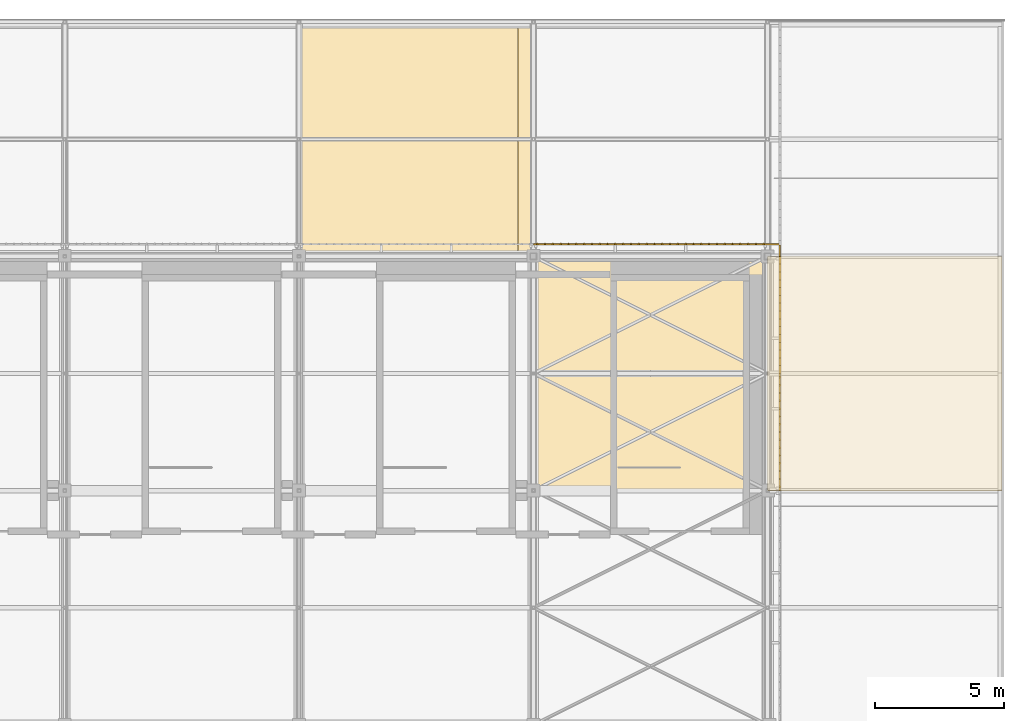
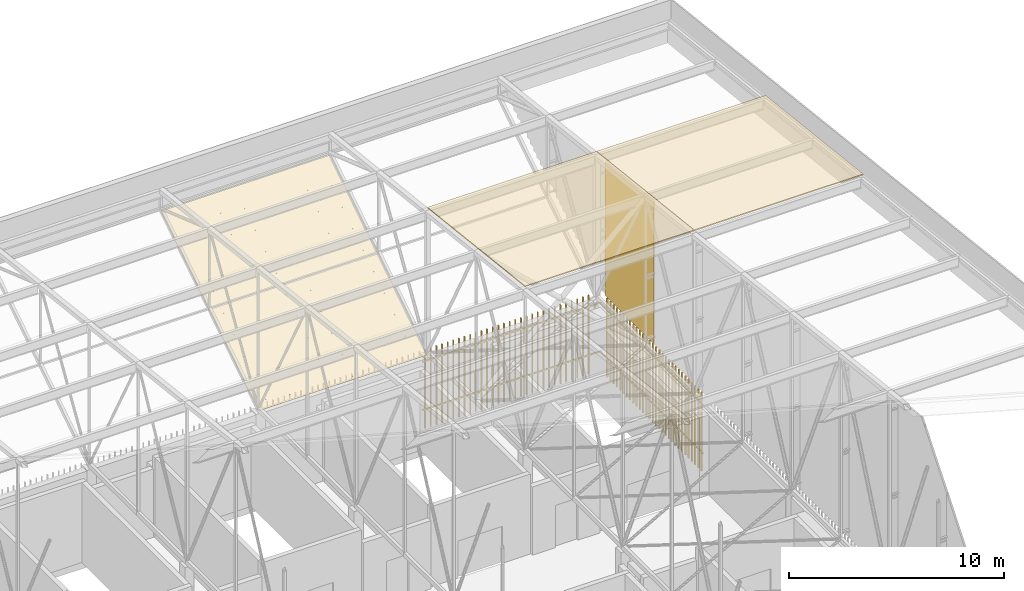
# One storey, part 498 of 500: 3 coverings, 3 shading devices.
"""IFC4 building model written with IfcOpenShell, lengths in metres."""

from ifc_helpers import new_model, si_unit, direction, frame, origin, origin_2d, place, context, subcontext, project, spatial, polyline, rectangle, outline, extrude, material, layer, layer_set, type_object, element, save


model = new_model("IFC4")

# Units and contexts
model_context = context("Model", 3, precision=1e-05, world=origin(), true_north=direction((0.0, 1.0)))
body_context = subcontext(model_context, "Body", "Model", "MODEL_VIEW")
ifc_project = project(units=[si_unit("LENGTHUNIT", "METRE"), si_unit("AREAUNIT", "SQUARE_METRE"), si_unit("VOLUMEUNIT", "CUBIC_METRE"), si_unit("PLANEANGLEUNIT", "RADIAN"), si_unit("MASSUNIT", "GRAM", prefix="KILO")], contexts=[model_context])

# Site, building, storey
site_placement = place(None, origin())
site = spatial("IfcSite", under=ifc_project, at=site_placement, CompositionType="ELEMENT")
building_placement = place(site_placement, origin())
building = spatial("IfcBuilding", under=site, at=building_placement, Name="Shirokan Park Arena", CompositionType="ELEMENT")
storey_placement = place(building_placement, frame((0.0, 0.0, 29.1201171875)))
storey = spatial("IfcBuildingStorey", under=building, at=storey_placement, Name="L06", CompositionType="ELEMENT", Elevation=29.1201171875)

# Coverings
ifc_material_1 = material(Name="Bituminous roofing membrane")
ifc_layer_1 = layer(ifc_material_1, 0.010009765625, Name="Bituminous roofing membrane")
ifc_material_2 = material(Name="Mineral wool insulation")
ifc_layer_2 = layer(ifc_material_2, 0.050048828125, Name="Mineral wool insulation")
ifc_layer_set_1 = layer_set([ifc_layer_1, ifc_layer_2], Name="Bituminous roofing membrane + Mineral wool insulation")
covering_type_1 = type_object("IfcCoveringType", Name="Roofing membrane 60", PredefinedType="ROOFING", material=ifc_layer_set_1)
covering_1_placement = place(storey_placement, frame((136.5, 100.10009765625, 13.970703125), z_axis=(0.0, 0.113552605302, 0.993531985308), x_axis=(1.0, 0.0, 0.0)))
element("IfcCovering", 1, at=covering_1_placement, inside=storey, type_object=covering_type_1, Name="Roofing", PredefinedType="ROOFING", context=body_context, shape_type="SweptSolid", body=[
    extrude(outline(polyline([(0.0, 0.0), (9.10009765625, 0.0), (9.10009765625, 9.159094674549367), (0.0, 9.159094674549367), (0.0, 0.0)])), origin(), (0.0, 0.0, -1.0), 0.06005859375),
])
covering_2_placement = place(storey_placement, frame((145.60009765625, 100.10009765625, 13.970703125), z_axis=(0.0, 0.113552605302, 0.993531985308), x_axis=(1.0, 0.0, 0.0)))
element("IfcCovering", 2, at=covering_2_placement, inside=storey, type_object=covering_type_1, Name="Roofing", PredefinedType="ROOFING", context=body_context, shape_type="SweptSolid", body=[
    extrude(outline(polyline([(0.0, 0.0), (9.099853515625, 0.0), (9.099853515625, 9.159094674549365), (0.0, 9.159094674549365), (0.0, 0.0)])), origin(), (0.0, 0.0, -1.0), 0.06005859375),
])
ifc_material_3 = material(Name="Timber soffit boards (cedar)", Category="wood")
ifc_layer_3 = layer(ifc_material_3, 0.030029296875)
ifc_layer_set_2 = layer_set([ifc_layer_3], Name="Timber soffit boards (cedar) 30 mm")
covering_type_2 = type_object("IfcCoveringType", Name="Timber boarded soffit panel", PredefinedType="CLADDING", material=ifc_layer_set_2)
covering_3_placement = place(storey_placement, origin())
element("IfcCovering", 3, at=covering_3_placement, inside=storey, type_object=covering_type_2, Name="Eave soffit north bay 15", PredefinedType="CLADDING", context=body_context, shape_type="SweptSolid", body=[
    extrude(outline(polyline([(0.0, 0.0), (0.1426933218479331, 0.0), (0.1426933218479331, -9.099999999999996), (0.0, -9.099999999999996), (0.0, 0.0)])), frame((136.5, 109.320068359375, 4.60302734375), z_axis=(0.0, -0.541090493936, 0.840964373426), x_axis=(0.0, -0.840964373426, -0.541090493936)), (0.0, 0.0, -1.0), 0.030029296875),
    extrude(outline(polyline([(0.0, 0.0), (0.1426933218479331, 0.0), (0.1426933218479331, -9.099999999999996), (0.0, -9.099999999999996), (0.0, 0.0)])), frame((127.39990234375, 118.179931640625, 10.3037109375), z_axis=(0.0, -0.541090493936, 0.840964373426), x_axis=(0.0, 0.840964373426, 0.541090493936)), (0.0, 0.0, -1.0), 0.030029296875),
    extrude(outline(polyline([(0.0, 0.0), (0.12000000000000455, 0.0), (0.12000000000000455, -10.535473996759716), (0.0, -10.535473996759716), (0.0, 0.0)])), frame((136.5, 109.320068359375, 4.60302734375), z_axis=(0.0, -0.541084340558, 0.84096833258), x_axis=(-1.0, 0.0, 0.0)), (0.0, 0.0, -1.0), 0.030029296875),
    extrude(outline(polyline([(0.0, 0.0), (0.11999999999999034, 0.0), (0.11999999999999034, -10.535473996759718), (0.0, -10.535473996759718), (0.0, 0.0)])), frame((127.39990234375, 118.179931640625, 10.3037109375), z_axis=(0.0, -0.541084340558, 0.84096833258), x_axis=(1.0, 0.0, 0.0)), (0.0, 0.0, -1.0), 0.030029296875),
    extrude(outline(polyline([(0.0, 0.0), (10.535473996759718, 0.0), (10.535473996759718, -0.183329999999998), (0.0, -0.183329999999998), (0.0, 0.0)])), frame((127.703369140625, 118.179931640625, 10.3037109375), z_axis=(0.0, -0.541084340558, 0.84096833258), x_axis=(0.0, -0.84096833258, -0.541084340558)), (0.0, 0.0, -1.0), 0.030029296875),
    extrude(outline(polyline([(0.0, 0.0), (10.53547399675972, 0.0), (10.53547399675972, -0.3033400000000199), (0.0, -0.3033400000000199), (0.0, 0.0)])), frame((128.006591796875, 118.179931640625, 10.3037109375), z_axis=(0.0, -0.541084340558, 0.84096833258), x_axis=(0.0, -0.84096833258, -0.541084340558)), (0.0, 0.0, -1.0), 0.030029296875),
    extrude(outline(polyline([(0.0, 0.0), (10.535473996759718, 0.0), (10.535473996759718, -0.30332999999998833), (0.0, -0.30332999999998833), (0.0, 0.0)])), frame((128.31005859375, 118.179931640625, 10.3037109375), z_axis=(0.0, -0.541084340558, 0.84096833258), x_axis=(0.0, -0.84096833258, -0.541084340558)), (0.0, 0.0, -1.0), 0.030029296875),
    extrude(outline(polyline([(0.0, 0.0), (10.535473996759718, 0.0), (10.535473996759718, -0.30332999999998833), (0.0, -0.30332999999998833), (0.0, 0.0)])), frame((128.61328125, 118.179931640625, 10.3037109375), z_axis=(0.0, -0.541084340558, 0.84096833258), x_axis=(0.0, -0.84096833258, -0.541084340558)), (0.0, 0.0, -1.0), 0.030029296875),
    extrude(outline(polyline([(0.0, 0.0), (10.53547399675972, 0.0), (10.53547399675972, -0.3033400000000199), (0.0, -0.3033400000000199), (0.0, 0.0)])), frame((128.916748046875, 118.179931640625, 10.3037109375), z_axis=(0.0, -0.541084340558, 0.84096833258), x_axis=(0.0, -0.84096833258, -0.541084340558)), (0.0, 0.0, -1.0), 0.030029296875),
    extrude(outline(polyline([(0.0, 0.0), (10.535473996759718, 0.0), (10.535473996759718, -0.30332999999998833), (0.0, -0.30332999999998833), (0.0, 0.0)])), frame((129.219970703125, 118.179931640625, 10.3037109375), z_axis=(0.0, -0.541084340558, 0.84096833258), x_axis=(0.0, -0.84096833258, -0.541084340558)), (0.0, 0.0, -1.0), 0.030029296875),
    extrude(outline(polyline([(0.0, 0.0), (10.535473996759718, 0.0), (10.535473996759718, -0.30332999999998833), (0.0, -0.30332999999998833), (0.0, 0.0)])), frame((129.5234375, 118.179931640625, 10.3037109375), z_axis=(0.0, -0.541084340558, 0.84096833258), x_axis=(0.0, -0.84096833258, -0.541084340558)), (0.0, 0.0, -1.0), 0.030029296875),
    extrude(outline(polyline([(0.0, 0.0), (10.535473996759718, 0.0), (10.535473996759718, -0.3033400000000199), (0.0, -0.3033400000000199), (0.0, 0.0)])), frame((129.82666015625, 118.179931640625, 10.3037109375), z_axis=(0.0, -0.541084340558, 0.84096833258), x_axis=(0.0, -0.84096833258, -0.541084340558)), (0.0, 0.0, -1.0), 0.030029296875),
    extrude(outline(polyline([(0.0, 0.0), (10.535473996759718, 0.0), (10.535473996759718, -0.30332999999998833), (0.0, -0.30332999999998833), (0.0, 0.0)])), frame((130.1298828125, 118.179931640625, 10.3037109375), z_axis=(0.0, -0.541084340558, 0.84096833258), x_axis=(0.0, -0.84096833258, -0.541084340558)), (0.0, 0.0, -1.0), 0.030029296875),
    extrude(outline(polyline([(0.0, 0.0), (10.53547399675972, 0.0), (10.53547399675972, -0.30333000000001675), (0.0, -0.30333000000001675), (0.0, 0.0)])), frame((130.433349609375, 118.179931640625, 10.3037109375), z_axis=(0.0, -0.541084340558, 0.84096833258), x_axis=(0.0, -0.84096833258, -0.541084340558)), (0.0, 0.0, -1.0), 0.030029296875),
    extrude(outline(polyline([(0.0, 0.0), (10.53547399675972, 0.0), (10.53547399675972, -0.3033399999999915), (0.0, -0.3033399999999915), (0.0, 0.0)])), frame((130.736572265625, 118.179931640625, 10.3037109375), z_axis=(0.0, -0.541084340558, 0.84096833258), x_axis=(0.0, -0.84096833258, -0.541084340558)), (0.0, 0.0, -1.0), 0.030029296875),
    extrude(outline(polyline([(0.0, 0.0), (10.535473996759718, 0.0), (10.535473996759718, -0.30332999999998833), (0.0, -0.30332999999998833), (0.0, 0.0)])), frame((131.0400390625, 118.179931640625, 10.3037109375), z_axis=(0.0, -0.541084340558, 0.84096833258), x_axis=(0.0, -0.84096833258, -0.541084340558)), (0.0, 0.0, -1.0), 0.030029296875),
    extrude(outline(polyline([(0.0, 0.0), (10.53547399675972, 0.0), (10.53547399675972, -0.30333000000001675), (0.0, -0.30333000000001675), (0.0, 0.0)])), frame((131.34326171875, 118.179931640625, 10.3037109375), z_axis=(0.0, -0.541084340558, 0.84096833258), x_axis=(0.0, -0.84096833258, -0.541084340558)), (0.0, 0.0, -1.0), 0.030029296875),
    extrude(outline(polyline([(0.0, 0.0), (10.53547399675972, 0.0), (10.53547399675972, -0.30333999999999156), (0.0, -0.30333999999999156), (0.0, 0.0)])), frame((131.646728515625, 118.179931640625, 10.3037109375), z_axis=(0.0, -0.541084340558, 0.84096833258), x_axis=(0.0, -0.84096833258, -0.541084340558)), (0.0, 0.0, -1.0), 0.030029296875),
    extrude(outline(polyline([(0.0, 0.0), (10.535473996759718, 0.0), (10.535473996759718, -0.30332999999998833), (0.0, -0.30332999999998833), (0.0, 0.0)])), frame((131.949951171875, 118.179931640625, 10.3037109375), z_axis=(0.0, -0.541084340558, 0.84096833258), x_axis=(0.0, -0.84096833258, -0.541084340558)), (0.0, 0.0, -1.0), 0.030029296875),
    extrude(outline(polyline([(0.0, 0.0), (10.53547399675972, 0.0), (10.53547399675972, -0.30333000000001675), (0.0, -0.30333000000001675), (0.0, 0.0)])), frame((132.25341796875, 118.179931640625, 10.3037109375), z_axis=(0.0, -0.541084340558, 0.84096833258), x_axis=(0.0, -0.84096833258, -0.541084340558)), (0.0, 0.0, -1.0), 0.030029296875),
    extrude(outline(polyline([(0.0, 0.0), (10.53547399675972, 0.0), (10.53547399675972, -0.30333999999999156), (0.0, -0.30333999999999156), (0.0, 0.0)])), frame((132.556640625, 118.179931640625, 10.3037109375), z_axis=(0.0, -0.541084340558, 0.84096833258), x_axis=(0.0, -0.84096833258, -0.541084340558)), (0.0, 0.0, -1.0), 0.030029296875),
    extrude(outline(polyline([(0.0, 0.0), (10.535473996759716, 0.0), (10.535473996759716, -0.30333000000001675), (0.0, -0.30333000000001675), (0.0, 0.0)])), frame((132.860107421875, 118.179931640625, 10.3037109375), z_axis=(0.0, -0.541084340558, 0.84096833258), x_axis=(0.0, -0.84096833258, -0.541084340558)), (0.0, 0.0, -1.0), 0.030029296875),
    extrude(outline(polyline([(0.0, 0.0), (10.535473996759718, 0.0), (10.535473996759718, -0.30332999999998833), (0.0, -0.30332999999998833), (0.0, 0.0)])), frame((133.163330078125, 118.179931640625, 10.3037109375), z_axis=(0.0, -0.541084340558, 0.84096833258), x_axis=(0.0, -0.84096833258, -0.541084340558)), (0.0, 0.0, -1.0), 0.030029296875),
    extrude(outline(polyline([(0.0, 0.0), (10.53547399675972, 0.0), (10.53547399675972, -0.3033399999999915), (0.0, -0.3033399999999915), (0.0, 0.0)])), frame((133.466552734375, 118.179931640625, 10.3037109375), z_axis=(0.0, -0.541084340558, 0.84096833258), x_axis=(0.0, -0.84096833258, -0.541084340558)), (0.0, 0.0, -1.0), 0.030029296875),
    extrude(outline(polyline([(0.0, 0.0), (10.53547399675972, 0.0), (10.53547399675972, -0.30333000000001675), (0.0, -0.30333000000001675), (0.0, 0.0)])), frame((133.77001953125, 118.179931640625, 10.3037109375), z_axis=(0.0, -0.541084340558, 0.84096833258), x_axis=(0.0, -0.84096833258, -0.541084340558)), (0.0, 0.0, -1.0), 0.030029296875),
    extrude(outline(polyline([(0.0, 0.0), (10.535473996759718, 0.0), (10.535473996759718, -0.30332999999998833), (0.0, -0.30332999999998833), (0.0, 0.0)])), frame((134.0732421875, 118.179931640625, 10.3037109375), z_axis=(0.0, -0.541084340558, 0.84096833258), x_axis=(0.0, -0.84096833258, -0.541084340558)), (0.0, 0.0, -1.0), 0.030029296875),
    extrude(outline(polyline([(0.0, 0.0), (10.53547399675972, 0.0), (10.53547399675972, -0.3033399999999915), (0.0, -0.3033399999999915), (0.0, 0.0)])), frame((134.376708984375, 118.179931640625, 10.3037109375), z_axis=(0.0, -0.541084340558, 0.84096833258), x_axis=(0.0, -0.84096833258, -0.541084340558)), (0.0, 0.0, -1.0), 0.030029296875),
    extrude(outline(polyline([(0.0, 0.0), (10.53547399675972, 0.0), (10.53547399675972, -0.30333000000001675), (0.0, -0.30333000000001675), (0.0, 0.0)])), frame((134.679931640625, 118.179931640625, 10.3037109375), z_axis=(0.0, -0.541084340558, 0.84096833258), x_axis=(0.0, -0.84096833258, -0.541084340558)), (0.0, 0.0, -1.0), 0.030029296875),
    extrude(outline(polyline([(0.0, 0.0), (10.535473996759718, 0.0), (10.535473996759718, -0.30332999999998833), (0.0, -0.30332999999998833), (0.0, 0.0)])), frame((134.9833984375, 118.179931640625, 10.3037109375), z_axis=(0.0, -0.541084340558, 0.84096833258), x_axis=(0.0, -0.84096833258, -0.541084340558)), (0.0, 0.0, -1.0), 0.030029296875),
    extrude(outline(polyline([(0.0, 0.0), (10.53547399675972, 0.0), (10.53547399675972, -0.3033399999999915), (0.0, -0.3033399999999915), (0.0, 0.0)])), frame((135.28662109375, 118.179931640625, 10.3037109375), z_axis=(0.0, -0.541084340558, 0.84096833258), x_axis=(0.0, -0.84096833258, -0.541084340558)), (0.0, 0.0, -1.0), 0.030029296875),
    extrude(outline(polyline([(0.0, 0.0), (10.53547399675972, 0.0), (10.53547399675972, -0.30333000000001675), (0.0, -0.30333000000001675), (0.0, 0.0)])), frame((135.590087890625, 118.179931640625, 10.3037109375), z_axis=(0.0, -0.541084340558, 0.84096833258), x_axis=(0.0, -0.84096833258, -0.541084340558)), (0.0, 0.0, -1.0), 0.030029296875),
    extrude(outline(polyline([(0.0, 0.0), (10.535473996759718, 0.0), (10.535473996759718, -0.30332999999998833), (0.0, -0.30332999999998833), (0.0, 0.0)])), frame((135.893310546875, 118.179931640625, 10.3037109375), z_axis=(0.0, -0.541084340558, 0.84096833258), x_axis=(0.0, -0.84096833258, -0.541084340558)), (0.0, 0.0, -1.0), 0.030029296875),
    extrude(outline(polyline([(0.0, 0.0), (10.535473996759718, 0.0), (10.535473996759718, -0.3033400000000199), (0.0, -0.3033400000000199), (0.0, 0.0)])), frame((136.19677734375, 118.179931640625, 10.3037109375), z_axis=(0.0, -0.541084340558, 0.84096833258), x_axis=(0.0, -0.84096833258, -0.541084340558)), (0.0, 0.0, -1.0), 0.030029296875),
    extrude(outline(polyline([(0.0, 0.0), (10.535473996759718, 0.0), (10.535473996759718, -0.18332999999998378), (0.0, -0.18332999999998378), (0.0, 0.0)])), frame((136.3798828125, 118.179931640625, 10.3037109375), z_axis=(0.0, -0.541084340558, 0.84096833258), x_axis=(0.0, -0.84096833258, -0.541084340558)), (0.0, 0.0, -1.0), 0.030029296875),
])

# Shading devices
ifc_material_4 = material(Name="Timber louvre veil (cedar)", Category="wood")
shading_device_type_1 = type_object("IfcShadingDeviceType", Name="Timber louvre veil panel", PredefinedType="JALOUSIE", material=ifc_material_4)
shading_device_1_placement = place(storey_placement, origin())
element("IfcShadingDevice", 4, at=shading_device_1_placement, inside=storey, type_object=shading_device_type_1, Name="Timber louvre veil east bay 12 L06", PredefinedType="JALOUSIE", context=body_context, shape_type="SweptSolid", body=[
    extrude(rectangle(XDim=0.050048828125, YDim=0.080078125, at=origin_2d()), frame((146.0849609375, 100.251708984375, 0.0), z_axis=(0.0, 0.0, 1.0), x_axis=(0.0, 1.0, 0.0)), (0.0, 0.0, 1.0), 4.5),
    extrude(rectangle(XDim=0.050048828125, YDim=0.080078125, at=origin_2d()), frame((146.0849609375, 100.554931640625, 0.0), z_axis=(0.0, 0.0, 1.0), x_axis=(0.0, 1.0, 0.0)), (0.0, 0.0, 1.0), 4.5),
    extrude(rectangle(XDim=0.050048828125, YDim=0.080078125, at=origin_2d()), frame((146.0849609375, 100.8583984375, 0.0), z_axis=(0.0, 0.0, 1.0), x_axis=(0.0, 1.0, 0.0)), (0.0, 0.0, 1.0), 4.5),
    extrude(rectangle(XDim=0.050048828125, YDim=0.080078125, at=origin_2d()), frame((146.0849609375, 101.16162109375, 0.0), z_axis=(0.0, 0.0, 1.0), x_axis=(0.0, 1.0, 0.0)), (0.0, 0.0, 1.0), 4.5),
    extrude(rectangle(XDim=0.050048828125, YDim=0.080078125, at=origin_2d()), frame((146.0849609375, 101.465087890625, 0.0), z_axis=(0.0, 0.0, 1.0), x_axis=(0.0, 1.0, 0.0)), (0.0, 0.0, 1.0), 4.5),
    extrude(rectangle(XDim=0.050048828125, YDim=0.080078125, at=origin_2d()), frame((146.0849609375, 101.768310546875, 0.0), z_axis=(0.0, 0.0, 1.0), x_axis=(0.0, 1.0, 0.0)), (0.0, 0.0, 1.0), 4.5),
    extrude(rectangle(XDim=0.050048828125, YDim=0.080078125, at=origin_2d()), frame((146.0849609375, 102.07177734375, 0.0), z_axis=(0.0, 0.0, 1.0), x_axis=(0.0, 1.0, 0.0)), (0.0, 0.0, 1.0), 4.5),
    extrude(rectangle(XDim=0.050048828125, YDim=0.080078125, at=origin_2d()), frame((146.0849609375, 102.375, 0.0), z_axis=(0.0, 0.0, 1.0), x_axis=(0.0, 1.0, 0.0)), (0.0, 0.0, 1.0), 4.5),
    extrude(rectangle(XDim=0.050048828125, YDim=0.080078125, at=origin_2d()), frame((146.0849609375, 102.67822265625, 0.0), z_axis=(0.0, 0.0, 1.0), x_axis=(0.0, 1.0, 0.0)), (0.0, 0.0, 1.0), 4.5),
    extrude(rectangle(XDim=0.050048828125, YDim=0.080078125, at=origin_2d()), frame((146.0849609375, 102.981689453125, 0.0), z_axis=(0.0, 0.0, 1.0), x_axis=(0.0, 1.0, 0.0)), (0.0, 0.0, 1.0), 4.5),
    extrude(rectangle(XDim=0.050048828125, YDim=0.080078125, at=origin_2d()), frame((146.0849609375, 103.284912109375, 0.0), z_axis=(0.0, 0.0, 1.0), x_axis=(0.0, 1.0, 0.0)), (0.0, 0.0, 1.0), 4.5),
    extrude(rectangle(XDim=0.050048828125, YDim=0.080078125, at=origin_2d()), frame((146.0849609375, 103.58837890625, 0.0), z_axis=(0.0, 0.0, 1.0), x_axis=(0.0, 1.0, 0.0)), (0.0, 0.0, 1.0), 4.5),
    extrude(rectangle(XDim=0.050048828125, YDim=0.080078125, at=origin_2d()), frame((146.0849609375, 103.8916015625, 0.0), z_axis=(0.0, 0.0, 1.0), x_axis=(0.0, 1.0, 0.0)), (0.0, 0.0, 1.0), 4.5),
    extrude(rectangle(XDim=0.050048828125, YDim=0.080078125, at=origin_2d()), frame((146.0849609375, 104.195068359375, 0.0), z_axis=(0.0, 0.0, 1.0), x_axis=(0.0, 1.0, 0.0)), (0.0, 0.0, 1.0), 4.5),
    extrude(rectangle(XDim=0.050048828125, YDim=0.080078125, at=origin_2d()), frame((146.0849609375, 104.498291015625, 0.0), z_axis=(0.0, 0.0, 1.0), x_axis=(0.0, 1.0, 0.0)), (0.0, 0.0, 1.0), 4.5),
    extrude(rectangle(XDim=0.050048828125, YDim=0.080078125, at=origin_2d()), frame((146.0849609375, 104.8017578125, 0.0), z_axis=(0.0, 0.0, 1.0), x_axis=(0.0, 1.0, 0.0)), (0.0, 0.0, 1.0), 4.5),
    extrude(rectangle(XDim=0.050048828125, YDim=0.080078125, at=origin_2d()), frame((146.0849609375, 105.10498046875, 0.0), z_axis=(0.0, 0.0, 1.0), x_axis=(0.0, 1.0, 0.0)), (0.0, 0.0, 1.0), 4.5),
    extrude(rectangle(XDim=0.050048828125, YDim=0.080078125, at=origin_2d()), frame((146.0849609375, 105.408447265625, 0.0), z_axis=(0.0, 0.0, 1.0), x_axis=(0.0, 1.0, 0.0)), (0.0, 0.0, 1.0), 4.5),
    extrude(rectangle(XDim=0.050048828125, YDim=0.080078125, at=origin_2d()), frame((146.0849609375, 105.711669921875, 0.0), z_axis=(0.0, 0.0, 1.0), x_axis=(0.0, 1.0, 0.0)), (0.0, 0.0, 1.0), 4.5),
    extrude(rectangle(XDim=0.050048828125, YDim=0.080078125, at=origin_2d()), frame((146.0849609375, 106.014892578125, 0.0), z_axis=(0.0, 0.0, 1.0), x_axis=(0.0, 1.0, 0.0)), (0.0, 0.0, 1.0), 4.5),
    extrude(rectangle(XDim=0.050048828125, YDim=0.080078125, at=origin_2d()), frame((146.0849609375, 106.318359375, 0.0), z_axis=(0.0, 0.0, 1.0), x_axis=(0.0, 1.0, 0.0)), (0.0, 0.0, 1.0), 4.5),
    extrude(rectangle(XDim=0.050048828125, YDim=0.080078125, at=origin_2d()), frame((146.0849609375, 106.62158203125, 0.0), z_axis=(0.0, 0.0, 1.0), x_axis=(0.0, 1.0, 0.0)), (0.0, 0.0, 1.0), 4.5),
    extrude(rectangle(XDim=0.050048828125, YDim=0.080078125, at=origin_2d()), frame((146.0849609375, 106.925048828125, 0.0), z_axis=(0.0, 0.0, 1.0), x_axis=(0.0, 1.0, 0.0)), (0.0, 0.0, 1.0), 4.5),
    extrude(rectangle(XDim=0.050048828125, YDim=0.080078125, at=origin_2d()), frame((146.0849609375, 107.228271484375, 0.0), z_axis=(0.0, 0.0, 1.0), x_axis=(0.0, 1.0, 0.0)), (0.0, 0.0, 1.0), 4.5),
    extrude(rectangle(XDim=0.050048828125, YDim=0.080078125, at=origin_2d()), frame((146.0849609375, 107.53173828125, 0.0), z_axis=(0.0, 0.0, 1.0), x_axis=(0.0, 1.0, 0.0)), (0.0, 0.0, 1.0), 4.5),
    extrude(rectangle(XDim=0.050048828125, YDim=0.080078125, at=origin_2d()), frame((146.0849609375, 107.8349609375, 0.0), z_axis=(0.0, 0.0, 1.0), x_axis=(0.0, 1.0, 0.0)), (0.0, 0.0, 1.0), 4.5),
    extrude(rectangle(XDim=0.050048828125, YDim=0.080078125, at=origin_2d()), frame((146.0849609375, 108.138427734375, 0.0), z_axis=(0.0, 0.0, 1.0), x_axis=(0.0, 1.0, 0.0)), (0.0, 0.0, 1.0), 4.5),
    extrude(rectangle(XDim=0.050048828125, YDim=0.080078125, at=origin_2d()), frame((146.0849609375, 108.441650390625, 0.0), z_axis=(0.0, 0.0, 1.0), x_axis=(0.0, 1.0, 0.0)), (0.0, 0.0, 1.0), 4.5),
    extrude(rectangle(XDim=0.050048828125, YDim=0.080078125, at=origin_2d()), frame((146.0849609375, 108.7451171875, 0.0), z_axis=(0.0, 0.0, 1.0), x_axis=(0.0, 1.0, 0.0)), (0.0, 0.0, 1.0), 4.5),
    extrude(rectangle(XDim=0.050048828125, YDim=0.080078125, at=origin_2d()), frame((146.0849609375, 109.04833984375, 0.0), z_axis=(0.0, 0.0, 1.0), x_axis=(0.0, 1.0, 0.0)), (0.0, 0.0, 1.0), 4.5),
    extrude(rectangle(XDim=9.544921875, YDim=0.050048828125, at=origin_2d()), frame((146.070068359375, 104.87255859375, 1.059814453125), z_axis=(0.0, 0.0, 1.0), x_axis=(0.0, 1.0, 0.0)), (0.0, 0.0, 1.0), 0.080078125),
    extrude(rectangle(XDim=9.544921875, YDim=0.050048828125, at=origin_2d()), frame((146.070068359375, 104.87255859375, 3.809814453125), z_axis=(0.0, 0.0, 1.0), x_axis=(0.0, 1.0, 0.0)), (0.0, 0.0, 1.0), 0.080078125),
])
shading_device_2_placement = place(storey_placement, origin())
element("IfcShadingDevice", 5, at=shading_device_2_placement, inside=storey, type_object=shading_device_type_1, Name="Timber louvre veil north bay 1 L06", PredefinedType="JALOUSIE", context=body_context, shape_type="SweptSolid", body=[
    extrude(rectangle(XDim=0.050048828125, YDim=0.080078125, at=origin_2d()), frame((145.4482421875, 109.68505859375, 0.0), z_axis=(0.0, 0.0, 1.0), x_axis=(-1.0, 0.0, 0.0)), (0.0, 0.0, 1.0), 4.5),
    extrude(rectangle(XDim=0.050048828125, YDim=0.080078125, at=origin_2d()), frame((145.14501953125, 109.68505859375, 0.0), z_axis=(0.0, 0.0, 1.0), x_axis=(-1.0, 0.0, 0.0)), (0.0, 0.0, 1.0), 4.5),
    extrude(rectangle(XDim=0.050048828125, YDim=0.080078125, at=origin_2d()), frame((144.841552734375, 109.68505859375, 0.0), z_axis=(0.0, 0.0, 1.0), x_axis=(-1.0, 0.0, 0.0)), (0.0, 0.0, 1.0), 4.5),
    extrude(rectangle(XDim=0.050048828125, YDim=0.080078125, at=origin_2d()), frame((144.538330078125, 109.68505859375, 0.0), z_axis=(0.0, 0.0, 1.0), x_axis=(-1.0, 0.0, 0.0)), (0.0, 0.0, 1.0), 4.5),
    extrude(rectangle(XDim=0.050048828125, YDim=0.080078125, at=origin_2d()), frame((144.235107421875, 109.68505859375, 0.0), z_axis=(0.0, 0.0, 1.0), x_axis=(-1.0, 0.0, 0.0)), (0.0, 0.0, 1.0), 4.5),
    extrude(rectangle(XDim=0.050048828125, YDim=0.080078125, at=origin_2d()), frame((143.931640625, 109.68505859375, 0.0), z_axis=(0.0, 0.0, 1.0), x_axis=(-1.0, 0.0, 0.0)), (0.0, 0.0, 1.0), 4.5),
    extrude(rectangle(XDim=0.050048828125, YDim=0.080078125, at=origin_2d()), frame((143.62841796875, 109.68505859375, 0.0), z_axis=(0.0, 0.0, 1.0), x_axis=(-1.0, 0.0, 0.0)), (0.0, 0.0, 1.0), 4.5),
    extrude(rectangle(XDim=0.050048828125, YDim=0.080078125, at=origin_2d()), frame((143.324951171875, 109.68505859375, 0.0), z_axis=(0.0, 0.0, 1.0), x_axis=(-1.0, 0.0, 0.0)), (0.0, 0.0, 1.0), 4.5),
    extrude(rectangle(XDim=0.050048828125, YDim=0.080078125, at=origin_2d()), frame((143.021728515625, 109.68505859375, 0.0), z_axis=(0.0, 0.0, 1.0), x_axis=(-1.0, 0.0, 0.0)), (0.0, 0.0, 1.0), 4.5),
    extrude(rectangle(XDim=0.050048828125, YDim=0.080078125, at=origin_2d()), frame((142.71826171875, 109.68505859375, 0.0), z_axis=(0.0, 0.0, 1.0), x_axis=(-1.0, 0.0, 0.0)), (0.0, 0.0, 1.0), 4.5),
    extrude(rectangle(XDim=0.050048828125, YDim=0.080078125, at=origin_2d()), frame((142.4150390625, 109.68505859375, 0.0), z_axis=(0.0, 0.0, 1.0), x_axis=(-1.0, 0.0, 0.0)), (0.0, 0.0, 1.0), 4.5),
    extrude(rectangle(XDim=0.050048828125, YDim=0.080078125, at=origin_2d()), frame((142.111572265625, 109.68505859375, 0.0), z_axis=(0.0, 0.0, 1.0), x_axis=(-1.0, 0.0, 0.0)), (0.0, 0.0, 1.0), 4.5),
    extrude(rectangle(XDim=0.050048828125, YDim=0.080078125, at=origin_2d()), frame((141.808349609375, 109.68505859375, 0.0), z_axis=(0.0, 0.0, 1.0), x_axis=(-1.0, 0.0, 0.0)), (0.0, 0.0, 1.0), 4.5),
    extrude(rectangle(XDim=0.050048828125, YDim=0.080078125, at=origin_2d()), frame((141.5048828125, 109.68505859375, 0.0), z_axis=(0.0, 0.0, 1.0), x_axis=(-1.0, 0.0, 0.0)), (0.0, 0.0, 1.0), 4.5),
    extrude(rectangle(XDim=0.050048828125, YDim=0.080078125, at=origin_2d()), frame((141.20166015625, 109.68505859375, 0.0), z_axis=(0.0, 0.0, 1.0), x_axis=(-1.0, 0.0, 0.0)), (0.0, 0.0, 1.0), 4.5),
    extrude(rectangle(XDim=0.050048828125, YDim=0.080078125, at=origin_2d()), frame((140.8984375, 109.68505859375, 0.0), z_axis=(0.0, 0.0, 1.0), x_axis=(-1.0, 0.0, 0.0)), (0.0, 0.0, 1.0), 4.5),
    extrude(rectangle(XDim=0.050048828125, YDim=0.080078125, at=origin_2d()), frame((140.594970703125, 109.68505859375, 0.0), z_axis=(0.0, 0.0, 1.0), x_axis=(-1.0, 0.0, 0.0)), (0.0, 0.0, 1.0), 4.5),
    extrude(rectangle(XDim=0.050048828125, YDim=0.080078125, at=origin_2d()), frame((140.291748046875, 109.68505859375, 0.0), z_axis=(0.0, 0.0, 1.0), x_axis=(-1.0, 0.0, 0.0)), (0.0, 0.0, 1.0), 4.5),
    extrude(rectangle(XDim=0.050048828125, YDim=0.080078125, at=origin_2d()), frame((139.98828125, 109.68505859375, 0.0), z_axis=(0.0, 0.0, 1.0), x_axis=(-1.0, 0.0, 0.0)), (0.0, 0.0, 1.0), 4.5),
    extrude(rectangle(XDim=0.050048828125, YDim=0.080078125, at=origin_2d()), frame((139.68505859375, 109.68505859375, 0.0), z_axis=(0.0, 0.0, 1.0), x_axis=(-1.0, 0.0, 0.0)), (0.0, 0.0, 1.0), 4.5),
    extrude(rectangle(XDim=0.050048828125, YDim=0.080078125, at=origin_2d()), frame((139.381591796875, 109.68505859375, 0.0), z_axis=(0.0, 0.0, 1.0), x_axis=(-1.0, 0.0, 0.0)), (0.0, 0.0, 1.0), 4.5),
    extrude(rectangle(XDim=0.050048828125, YDim=0.080078125, at=origin_2d()), frame((139.078369140625, 109.68505859375, 0.0), z_axis=(0.0, 0.0, 1.0), x_axis=(-1.0, 0.0, 0.0)), (0.0, 0.0, 1.0), 4.5),
    extrude(rectangle(XDim=0.050048828125, YDim=0.080078125, at=origin_2d()), frame((138.77490234375, 109.68505859375, 0.0), z_axis=(0.0, 0.0, 1.0), x_axis=(-1.0, 0.0, 0.0)), (0.0, 0.0, 1.0), 4.5),
    extrude(rectangle(XDim=0.050048828125, YDim=0.080078125, at=origin_2d()), frame((138.4716796875, 109.68505859375, 0.0), z_axis=(0.0, 0.0, 1.0), x_axis=(-1.0, 0.0, 0.0)), (0.0, 0.0, 1.0), 4.5),
    extrude(rectangle(XDim=0.050048828125, YDim=0.080078125, at=origin_2d()), frame((138.168212890625, 109.68505859375, 0.0), z_axis=(0.0, 0.0, 1.0), x_axis=(-1.0, 0.0, 0.0)), (0.0, 0.0, 1.0), 4.5),
    extrude(rectangle(XDim=0.050048828125, YDim=0.080078125, at=origin_2d()), frame((137.864990234375, 109.68505859375, 0.0), z_axis=(0.0, 0.0, 1.0), x_axis=(-1.0, 0.0, 0.0)), (0.0, 0.0, 1.0), 4.5),
    extrude(rectangle(XDim=0.050048828125, YDim=0.080078125, at=origin_2d()), frame((137.561767578125, 109.68505859375, 0.0), z_axis=(0.0, 0.0, 1.0), x_axis=(-1.0, 0.0, 0.0)), (0.0, 0.0, 1.0), 4.5),
    extrude(rectangle(XDim=0.050048828125, YDim=0.080078125, at=origin_2d()), frame((137.25830078125, 109.68505859375, 0.0), z_axis=(0.0, 0.0, 1.0), x_axis=(-1.0, 0.0, 0.0)), (0.0, 0.0, 1.0), 4.5),
    extrude(rectangle(XDim=0.050048828125, YDim=0.080078125, at=origin_2d()), frame((136.955078125, 109.68505859375, 0.0), z_axis=(0.0, 0.0, 1.0), x_axis=(-1.0, 0.0, 0.0)), (0.0, 0.0, 1.0), 4.5),
    extrude(rectangle(XDim=0.050048828125, YDim=0.080078125, at=origin_2d()), frame((136.651611328125, 109.68505859375, 0.0), z_axis=(0.0, 0.0, 1.0), x_axis=(-1.0, 0.0, 0.0)), (0.0, 0.0, 1.0), 4.5),
    extrude(rectangle(XDim=9.625, YDim=0.050048828125, at=origin_2d()), frame((141.3125, 109.669921875, 1.059814453125), z_axis=(0.0, 0.0, 1.0), x_axis=(-1.0, 0.0, 0.0)), (0.0, 0.0, 1.0), 0.080078125),
    extrude(rectangle(XDim=9.625, YDim=0.050048828125, at=origin_2d()), frame((141.3125, 109.669921875, 3.809814453125), z_axis=(0.0, 0.0, 1.0), x_axis=(-1.0, 0.0, 0.0)), (0.0, 0.0, 1.0), 0.080078125),
])
shading_device_type_2 = type_object("IfcShadingDeviceType", Name="Timber louvre veil panel, gable band, closed", PredefinedType="JALOUSIE", material=ifc_material_4)
shading_device_3_placement = place(storey_placement, origin())
element("IfcShadingDevice", 6, at=shading_device_3_placement, inside=storey, type_object=shading_device_type_2, Name="Timber louvre veil gable band east bay 26", PredefinedType="JALOUSIE", context=body_context, shape_type="SweptSolid", body=[
    extrude(outline(polyline([(109.199951171875, 4.575927734375), (109.199951171875, 12.19189453125), (108.896728515625, 12.19189453125), (108.896728515625, 12.2265625), (108.59326171875, 12.2265625), (108.59326171875, 12.26123046875), (108.2900390625, 12.26123046875), (108.2900390625, 12.2958984375), (107.986572265625, 12.2958984375), (107.986572265625, 12.33056640625), (107.683349609375, 12.33056640625), (107.683349609375, 12.365234375), (107.3798828125, 12.365234375), (107.3798828125, 12.39990234375), (107.07666015625, 12.39990234375), (107.07666015625, 12.4345703125), (106.7734375, 12.4345703125), (106.7734375, 12.46923828125), (106.469970703125, 12.46923828125), (106.469970703125, 12.50390625), (106.166748046875, 12.50390625), (106.166748046875, 12.53857421875), (105.86328125, 12.53857421875), (105.86328125, 12.5732421875), (105.56005859375, 12.5732421875), (105.56005859375, 12.60791015625), (105.256591796875, 12.60791015625), (105.256591796875, 12.642578125), (104.953369140625, 12.642578125), (104.953369140625, 12.67724609375), (104.64990234375, 12.67724609375), (104.64990234375, 4.575927734375), (109.199951171875, 4.575927734375)])), frame((146.044921875, 0.0, 0.0), z_axis=(1.0, 0.0, 0.0), x_axis=(0.0, 1.0, 0.0)), (0.0, 0.0, 1.0), 0.080078125),
    extrude(rectangle(XDim=0.050048828125, YDim=4.550048828125, at=origin_2d()), frame((146.070068359375, 106.925048828125, 4.98583984375), z_axis=(0.0, 0.0, 1.0), x_axis=(1.0, 0.0, 0.0)), (0.0, 0.0, 1.0), 0.080078125),
    extrude(rectangle(XDim=0.050048828125, YDim=4.550048828125, at=origin_2d()), frame((146.070068359375, 106.925048828125, 8.34375), z_axis=(0.0, 0.0, 1.0), x_axis=(1.0, 0.0, 0.0)), (0.0, 0.0, 1.0), 0.080078125),
    extrude(rectangle(XDim=0.050048828125, YDim=4.550048828125, at=origin_2d()), frame((146.070068359375, 106.925048828125, 12.0517578125), z_axis=(0.0, 0.0, 1.0), x_axis=(1.0, 0.0, 0.0)), (0.0, 0.0, 1.0), 0.080078125),
])

save(model, "model.ifc")
